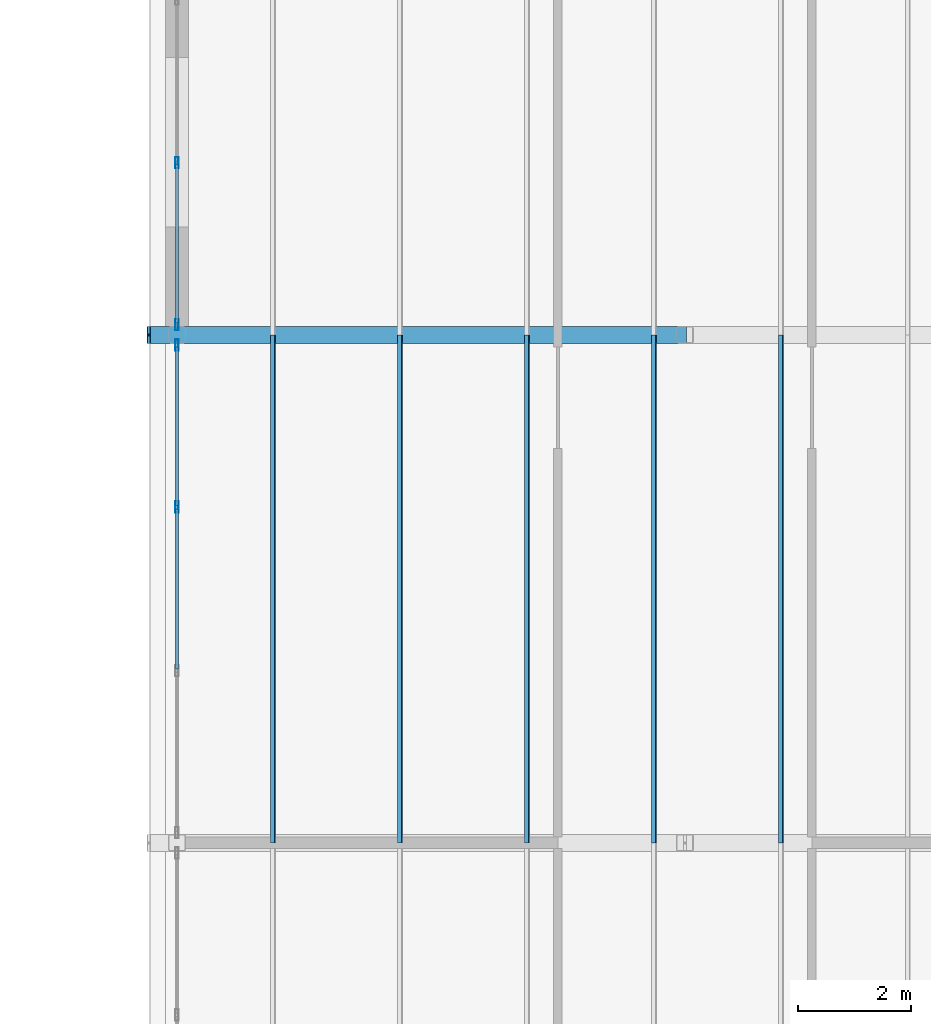
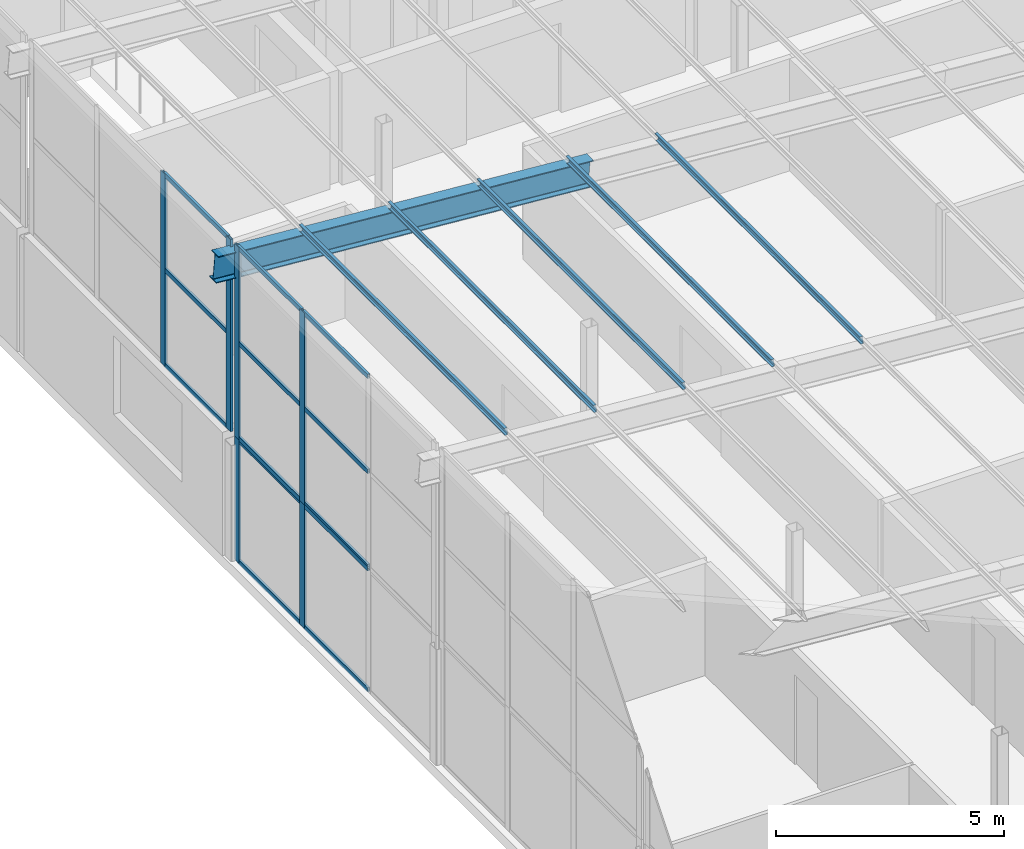
# One storey, part 49 of 85: 25 members, 3 elements without a shape of their own.
"""IFC4 building model written with IfcOpenShell, lengths in metres."""

from ifc_helpers import new_model, si_unit, direction, frame, origin, origin_2d, place, context, subcontext, project, spatial, polyline, hollow_rectangle, i_section, outline, extrude, material, layer, layer_set, material_profile, profile_set, type_object, element, aggregate, save


model = new_model("IFC4")

# Units and contexts
model_context = context("Model", 3, precision=1e-05, world=origin(), true_north=direction((0.0, 1.0)))
body_context = subcontext(model_context, "Body", "Model", "MODEL_VIEW")
ifc_project = project(units=[si_unit("LENGTHUNIT", "METRE"), si_unit("AREAUNIT", "SQUARE_METRE"), si_unit("VOLUMEUNIT", "CUBIC_METRE"), si_unit("PLANEANGLEUNIT", "RADIAN"), si_unit("MASSUNIT", "GRAM", prefix="KILO")], contexts=[model_context])

# Site, building, storey
site_placement = place(None, origin())
site = spatial("IfcSite", under=ifc_project, at=site_placement, CompositionType="ELEMENT")
building_placement = place(site_placement, origin())
building = spatial("IfcBuilding", under=site, at=building_placement, Name="Opaline Strait Convention Centre", CompositionType="ELEMENT")
storey_placement = place(building_placement, frame((0.0, 0.0, 17.0)))
storey = spatial("IfcBuildingStorey", under=building, at=storey_placement, Name="L03", CompositionType="ELEMENT", Elevation=17.0)

# Curtain wall, members
ifc_material_1 = material(Name="Aluminium framed double glazing", Category="aluminium")
ifc_layer = layer(ifc_material_1, 0.199951171875)
ifc_layer_set = layer_set([ifc_layer], Name="Aluminium framed double glazing")
curtain_wall_type = type_object("IfcCurtainWallType", Name="Curtain wall 3000 module unitised", PredefinedType="NOTDEFINED", material=ifc_layer_set)
curtain_wall_1_placement = place(storey_placement, origin())
curtain_wall_1 = element("IfcCurtainWall", 1, at=curtain_wall_1_placement, inside=storey, type_object=curtain_wall_type, Name="Curtain wall W L03 32/T", PredefinedType="NOTDEFINED")
ifc_material_2 = material(Name="Aluminium alloy 6063", Category="aluminium")
ifc_material_profile_1 = material_profile(ifc_material_2, hollow_rectangle(XDim=0.06005859375, YDim=0.199951171875, WallThickness=0.00390625, at=origin_2d()), Name="MULLION 60x200x4")
ifc_profile_set_1 = profile_set([ifc_material_profile_1], Name="Aluminium alloy 6063")
member_type_1 = type_object("IfcMemberType", Name="Curtain wall mullion 60 x 200", PredefinedType="MULLION", material=ifc_profile_set_1)
member_1_placement = place(storey_placement, frame((279.0, 158.949951171875, 0.0), z_axis=(0.0, 0.0, 1.0), x_axis=(-1.0, 0.0, 0.0)))
member_1 = element("IfcMember", 2, at=member_1_placement, type_object=member_type_1, Name="MCWR1 mullion 3", PredefinedType="MULLION", context=body_context, shape_type="SweptSolid", body=[
    extrude(hollow_rectangle(XDim=0.06005859375, YDim=0.199951171875, WallThickness=0.00390625, at=origin_2d()), origin(), (0.0, 0.0, 1.0), 3.300048828125),
])
member_2_placement = place(storey_placement, frame((279.0, 161.820068359375, 0.0), z_axis=(0.0, 0.0, 1.0), x_axis=(-1.0, 0.0, 0.0)))
member_2 = element("IfcMember", 3, at=member_2_placement, type_object=member_type_1, Name="MCWR1 mullion 4", PredefinedType="MULLION", context=body_context, shape_type="SweptSolid", body=[
    extrude(hollow_rectangle(XDim=0.06005859375, YDim=0.199951171875, WallThickness=0.00390625, at=origin_2d()), origin(), (0.0, 0.0, 1.0), 3.300048828125),
])

curtain_wall_2_placement = place(storey_placement, origin())
curtain_wall_2 = element("IfcCurtainWall", 4, at=curtain_wall_2_placement, inside=storey, type_object=curtain_wall_type, Name="Clerestory curtain wall W L03 32/T", PredefinedType="NOTDEFINED")
member_3_placement = place(storey_placement, frame((279.0, 158.949951171875, 3.300048828125), z_axis=(0.0, 0.0, 1.0), x_axis=(-1.0, 0.0, 0.0)))
member_3 = element("IfcMember", 5, at=member_3_placement, type_object=member_type_1, Name="MCWR1 mullion 3", PredefinedType="MULLION", context=body_context, shape_type="SweptSolid", body=[
    extrude(hollow_rectangle(XDim=0.06005859375, YDim=0.199951171875, WallThickness=0.00390625, at=origin_2d()), origin(), (0.0, 0.0, 1.0), 5.144287109375),
])
member_4_placement = place(storey_placement, frame((279.0, 161.820068359375, 3.300048828125), z_axis=(0.0, 0.0, 1.0), x_axis=(-1.0, 0.0, 0.0)))
member_4 = element("IfcMember", 6, at=member_4_placement, type_object=member_type_1, Name="MCWR1 mullion 4", PredefinedType="MULLION", context=body_context, shape_type="SweptSolid", body=[
    extrude(hollow_rectangle(XDim=0.06005859375, YDim=0.199951171875, WallThickness=0.00390625, at=origin_2d()), origin(), (0.0, 0.0, 1.0), 5.144287109375),
])

curtain_wall_3_placement = place(storey_placement, origin())
curtain_wall_3 = element("IfcCurtainWall", 7, at=curtain_wall_3_placement, inside=storey, type_object=curtain_wall_type, Name="Clerestory curtain wall W L03 32/U", PredefinedType="NOTDEFINED")
member_5_placement = place(storey_placement, frame((279.0, 162.179931640625, 3.300048828125), z_axis=(0.0, 0.0, 1.0), x_axis=(-1.0, 0.0, 0.0)))
member_5 = element("IfcMember", 8, at=member_5_placement, type_object=member_type_1, Name="MCWR1 mullion 1", PredefinedType="MULLION", context=body_context, shape_type="SweptSolid", body=[
    extrude(hollow_rectangle(XDim=0.06005859375, YDim=0.199951171875, WallThickness=0.00390625, at=origin_2d()), origin(), (0.0, 0.0, 1.0), 5.144287109375),
])
member_6_placement = place(storey_placement, frame((279.0, 165.050048828125, 3.300048828125), z_axis=(0.0, 0.0, 1.0), x_axis=(-1.0, 0.0, 0.0)))
member_6 = element("IfcMember", 9, at=member_6_placement, type_object=member_type_1, Name="MCWR1 mullion 2", PredefinedType="MULLION", context=body_context, shape_type="SweptSolid", body=[
    extrude(hollow_rectangle(XDim=0.06005859375, YDim=0.199951171875, WallThickness=0.00390625, at=origin_2d()), origin(), (0.0, 0.0, 1.0), 5.144287109375),
])

# Member
ifc_material_profile_2 = material_profile(ifc_material_2, hollow_rectangle(XDim=0.06005859375, YDim=0.1201171875, WallThickness=0.0029296875, at=origin_2d()), Name="TRANSOM 60x120x3")
ifc_profile_set_2 = profile_set([ifc_material_profile_2], Name="Aluminium alloy 6063")
member_type_2 = type_object("IfcMemberType", Name="Curtain wall transom 60 x 120", PredefinedType="USERDEFINED", material=ifc_profile_set_2)
member_7_placement = place(storey_placement, frame((279.0, 156.080078125, 0.030029296875), z_axis=(0.0, 1.0, 0.0), x_axis=(-1.0, 0.0, 0.0)))
member_7 = element("IfcMember", 10, at=member_7_placement, type_object=member_type_2, Name="MCWR1 transom 2.1", ObjectType="TRANSOM", PredefinedType="USERDEFINED", context=body_context, shape_type="SweptSolid", body=[
    extrude(hollow_rectangle(XDim=0.06005859375, YDim=0.1201171875, WallThickness=0.0029296875, at=origin_2d()), origin(), (0.0, 0.0, 1.0), 2.83984375),
])

member_8_placement = place(storey_placement, frame((279.0, 156.080078125, 3.27001953125), z_axis=(0.0, 1.0, 0.0), x_axis=(-1.0, 0.0, 0.0)))
member_8 = element("IfcMember", 11, at=member_8_placement, type_object=member_type_2, Name="MCWR1 transom 2.2", ObjectType="TRANSOM", PredefinedType="USERDEFINED", context=body_context, shape_type="SweptSolid", body=[
    extrude(hollow_rectangle(XDim=0.06005859375, YDim=0.1201171875, WallThickness=0.0029296875, at=origin_2d()), origin(), (0.0, 0.0, 1.0), 2.83984375),
])

member_9_placement = place(storey_placement, frame((279.0, 158.97998046875, 0.030029296875), z_axis=(0.0, 1.0, 0.0), x_axis=(-1.0, 0.0, 0.0)))
member_9 = element("IfcMember", 12, at=member_9_placement, type_object=member_type_2, Name="MCWR1 transom 3.1", ObjectType="TRANSOM", PredefinedType="USERDEFINED", context=body_context, shape_type="SweptSolid", body=[
    extrude(hollow_rectangle(XDim=0.06005859375, YDim=0.1201171875, WallThickness=0.0029296875, at=origin_2d()), origin(), (0.0, 0.0, 1.0), 2.81005859375),
])

member_10_placement = place(storey_placement, frame((279.0, 158.97998046875, 3.27001953125), z_axis=(0.0, 1.0, 0.0), x_axis=(-1.0, 0.0, 0.0)))
member_10 = element("IfcMember", 13, at=member_10_placement, type_object=member_type_2, Name="MCWR1 transom 3.2", ObjectType="TRANSOM", PredefinedType="USERDEFINED", context=body_context, shape_type="SweptSolid", body=[
    extrude(hollow_rectangle(XDim=0.06005859375, YDim=0.1201171875, WallThickness=0.0029296875, at=origin_2d()), origin(), (0.0, 0.0, 1.0), 2.81005859375),
])

aggregate(curtain_wall_1, [member_1, member_2, member_7, member_8, member_9, member_10])

member_11_placement = place(storey_placement, frame((279.0, 156.080078125, 3.330078125), z_axis=(0.0, 1.0, 0.0), x_axis=(-1.0, 0.0, 0.0)))
member_11 = element("IfcMember", 14, at=member_11_placement, type_object=member_type_2, Name="MCWR1 transom 2.1", ObjectType="TRANSOM", PredefinedType="USERDEFINED", context=body_context, shape_type="SweptSolid", body=[
    extrude(hollow_rectangle(XDim=0.06005859375, YDim=0.1201171875, WallThickness=0.0029296875, at=origin_2d()), origin(), (0.0, 0.0, 1.0), 2.83984375),
])

member_12_placement = place(storey_placement, frame((279.0, 156.080078125, 5.872314453125), z_axis=(0.0, 1.0, 0.0), x_axis=(-1.0, 0.0, 0.0)))
member_12 = element("IfcMember", 15, at=member_12_placement, type_object=member_type_2, Name="MCWR1 transom 2.2", ObjectType="TRANSOM", PredefinedType="USERDEFINED", context=body_context, shape_type="SweptSolid", body=[
    extrude(hollow_rectangle(XDim=0.06005859375, YDim=0.1201171875, WallThickness=0.0029296875, at=origin_2d()), origin(), (0.0, 0.0, 1.0), 2.83984375),
])

member_13_placement = place(storey_placement, frame((279.0, 156.080078125, 8.414306640625), z_axis=(0.0, 1.0, 0.0), x_axis=(-1.0, 0.0, 0.0)))
member_13 = element("IfcMember", 16, at=member_13_placement, type_object=member_type_2, Name="MCWR1 transom 2.3", ObjectType="TRANSOM", PredefinedType="USERDEFINED", context=body_context, shape_type="SweptSolid", body=[
    extrude(hollow_rectangle(XDim=0.06005859375, YDim=0.1201171875, WallThickness=0.0029296875, at=origin_2d()), origin(), (0.0, 0.0, 1.0), 2.83984375),
])

member_14_placement = place(storey_placement, frame((279.0, 158.97998046875, 3.330078125), z_axis=(0.0, 1.0, 0.0), x_axis=(-1.0, 0.0, 0.0)))
member_14 = element("IfcMember", 17, at=member_14_placement, type_object=member_type_2, Name="MCWR1 transom 3.1", ObjectType="TRANSOM", PredefinedType="USERDEFINED", context=body_context, shape_type="SweptSolid", body=[
    extrude(hollow_rectangle(XDim=0.06005859375, YDim=0.1201171875, WallThickness=0.0029296875, at=origin_2d()), origin(), (0.0, 0.0, 1.0), 2.81005859375),
])

member_15_placement = place(storey_placement, frame((279.0, 158.97998046875, 5.872314453125), z_axis=(0.0, 1.0, 0.0), x_axis=(-1.0, 0.0, 0.0)))
member_15 = element("IfcMember", 18, at=member_15_placement, type_object=member_type_2, Name="MCWR1 transom 3.2", ObjectType="TRANSOM", PredefinedType="USERDEFINED", context=body_context, shape_type="SweptSolid", body=[
    extrude(hollow_rectangle(XDim=0.06005859375, YDim=0.1201171875, WallThickness=0.0029296875, at=origin_2d()), origin(), (0.0, 0.0, 1.0), 2.81005859375),
])

member_16_placement = place(storey_placement, frame((279.0, 158.97998046875, 8.414306640625), z_axis=(0.0, 1.0, 0.0), x_axis=(-1.0, 0.0, 0.0)))
member_16 = element("IfcMember", 19, at=member_16_placement, type_object=member_type_2, Name="MCWR1 transom 3.3", ObjectType="TRANSOM", PredefinedType="USERDEFINED", context=body_context, shape_type="SweptSolid", body=[
    extrude(hollow_rectangle(XDim=0.06005859375, YDim=0.1201171875, WallThickness=0.0029296875, at=origin_2d()), origin(), (0.0, 0.0, 1.0), 2.81005859375),
])

aggregate(curtain_wall_2, [member_3, member_4, member_11, member_12, member_13, member_14, member_15, member_16])

member_17_placement = place(storey_placement, frame((279.0, 162.2099609375, 3.330078125), z_axis=(0.0, 1.0, 0.0), x_axis=(-1.0, 0.0, 0.0)))
member_17 = element("IfcMember", 20, at=member_17_placement, type_object=member_type_2, Name="MCWR1 transom 1.1", ObjectType="TRANSOM", PredefinedType="USERDEFINED", context=body_context, shape_type="SweptSolid", body=[
    extrude(hollow_rectangle(XDim=0.06005859375, YDim=0.1201171875, WallThickness=0.0029296875, at=origin_2d()), origin(), (0.0, 0.0, 1.0), 2.81005859375),
])

member_18_placement = place(storey_placement, frame((279.0, 162.2099609375, 5.872314453125), z_axis=(0.0, 1.0, 0.0), x_axis=(-1.0, 0.0, 0.0)))
member_18 = element("IfcMember", 21, at=member_18_placement, type_object=member_type_2, Name="MCWR1 transom 1.2", ObjectType="TRANSOM", PredefinedType="USERDEFINED", context=body_context, shape_type="SweptSolid", body=[
    extrude(hollow_rectangle(XDim=0.06005859375, YDim=0.1201171875, WallThickness=0.0029296875, at=origin_2d()), origin(), (0.0, 0.0, 1.0), 2.81005859375),
])

member_19_placement = place(storey_placement, frame((279.0, 162.2099609375, 8.414306640625), z_axis=(0.0, 1.0, 0.0), x_axis=(-1.0, 0.0, 0.0)))
member_19 = element("IfcMember", 22, at=member_19_placement, type_object=member_type_2, Name="MCWR1 transom 1.3", ObjectType="TRANSOM", PredefinedType="USERDEFINED", context=body_context, shape_type="SweptSolid", body=[
    extrude(hollow_rectangle(XDim=0.06005859375, YDim=0.1201171875, WallThickness=0.0029296875, at=origin_2d()), origin(), (0.0, 0.0, 1.0), 2.81005859375),
])

aggregate(curtain_wall_3, [member_5, member_6, member_17, member_18, member_19])

# Members
ifc_material_3 = material(Name="Steel Q355B", Category="steel")
ifc_material_profile_3 = material_profile(ifc_material_3, outline(polyline([(-0.034912109375, -0.10009765625), (0.034912109375, -0.10009765625), (0.034912109375, -0.080078125), (0.032470703125, -0.080078125), (0.032470703125, -0.097412109375), (-0.032470703125, -0.097412109375), (-0.032470703125, 0.097412109375), (0.032470703125, 0.097412109375), (0.032470703125, 0.080078125), (0.034912109375, 0.080078125), (0.034912109375, 0.10009765625), (-0.034912109375, 0.10009765625), (-0.034912109375, -0.10009765625)])), Name="C 200x70x20x2.5")
ifc_profile_set_3 = profile_set([ifc_material_profile_3], Name="Steel Q355B")
member_type_3 = type_object("IfcMemberType", Name="Roof purlin C 200x70x20x2.5", PredefinedType="PURLIN", material=ifc_profile_set_3)
for number, where, z_axis, x_axis, name in (
    (23, (289.699951171875, 153.0, 7.501953125), (0.0, 1.0, 0.0), (-0.996917333733, 0.0, -0.078459095728), "MRP1 purlin W wing 168"),
    (24, (287.449951171875, 153.0, 7.678955078125), (0.0, 1.0, 0.0), (-0.996917333733, 0.0, -0.078459095728), "MRP1 purlin W wing 178"),
    (25, (285.199951171875, 153.0, 7.856201171875), (0.0, 1.0, 0.0), (-0.996917333733, 0.0, -0.078459095728), "MRP1 purlin W wing 188"),
    (26, (282.949951171875, 153.0, 8.033203125), (0.0, 1.0, 0.0), (-0.996917333733, 0.0, -0.078459095728), "MRP1 purlin W wing 198"),
    (27, (280.699951171875, 153.0, 8.210205078125), (0.0, 1.0, 0.0), (-0.996917333733, 0.0, -0.078459095728), "MRP1 purlin W wing 208"),
):
    element("IfcMember", number, at=place(storey_placement, frame(where, z_axis=z_axis, x_axis=x_axis)), inside=storey, type_object=member_type_3, Name=name, PredefinedType="PURLIN", context=body_context, shape_type="SweptSolid", body=[
        extrude(outline(polyline([(-0.034912109375, -0.10009765625), (0.034912109375, -0.10009765625), (0.034912109375, -0.080078125), (0.032470703125, -0.080078125), (0.032470703125, -0.097412109375), (-0.032470703125, -0.097412109375), (-0.032470703125, 0.097412109375), (0.032470703125, 0.097412109375), (0.032470703125, 0.080078125), (0.034912109375, 0.080078125), (0.034912109375, 0.10009765625), (-0.034912109375, 0.10009765625), (-0.034912109375, -0.10009765625)])), origin(), (0.0, 0.0, 1.0), 9.0),
    ])
ifc_material_profile_4 = material_profile(ifc_material_3, i_section(OverallWidth=0.300048828125, OverallDepth=0.699951171875, WebThickness=0.012939453125, FlangeThickness=0.02392578125, FilletRadius=0.01806640625, at=origin_2d()), Name="HN 700x300x13x24")
ifc_profile_set_4 = profile_set([ifc_material_profile_4], Name="Steel Q355B")
member_type_4 = type_object("IfcMemberType", Name="Roof rafter HN 700x300x13x24", PredefinedType="RAFTER", material=ifc_profile_set_4)
member_20_placement = place(storey_placement, frame((278.5, 162.0, 7.93212890625), z_axis=(0.996916213079, 0.0, -0.078473333693), x_axis=(0.0, 1.0, 0.0)))
element("IfcMember", 28, at=member_20_placement, inside=storey, type_object=member_type_4, Name="MRR1 rafter y 162", PredefinedType="RAFTER", context=body_context, shape_type="SweptSolid", body=[
    extrude(i_section(OverallWidth=0.300048828125, OverallDepth=0.699951171875, WebThickness=0.012939453125, FlangeThickness=0.02392578125, FilletRadius=0.01806640625, at=origin_2d()), origin(), (0.0, 0.0, 1.0), 9.529296875),
])

save(model, "model.ifc")
